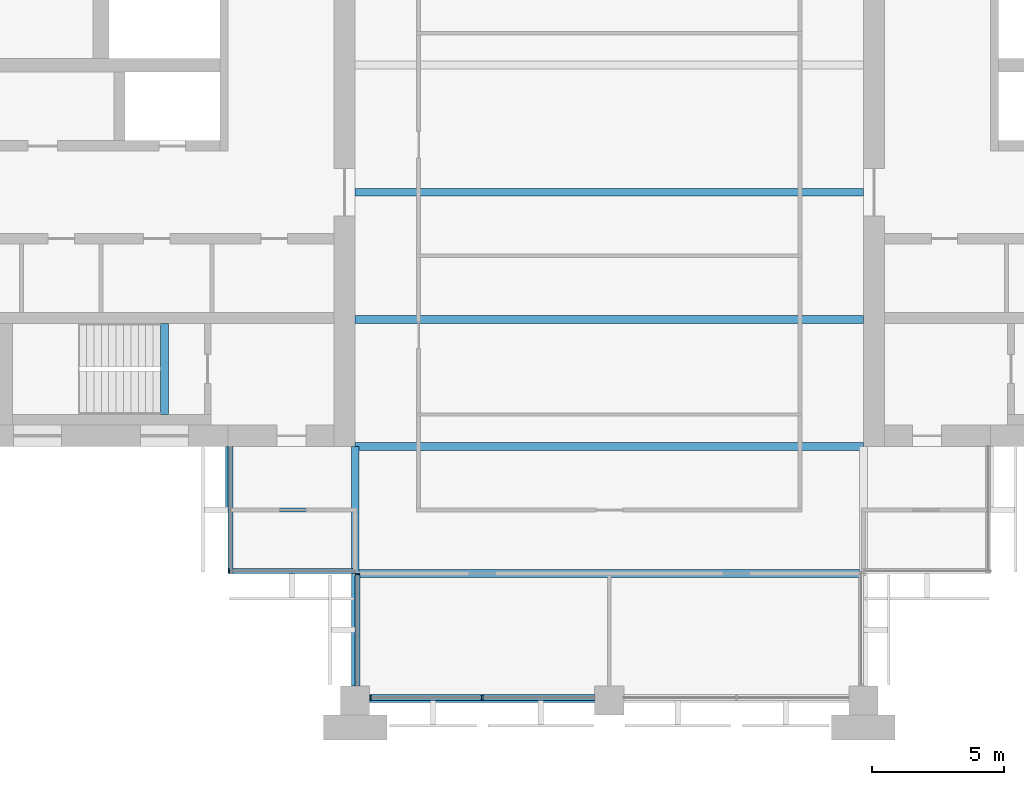
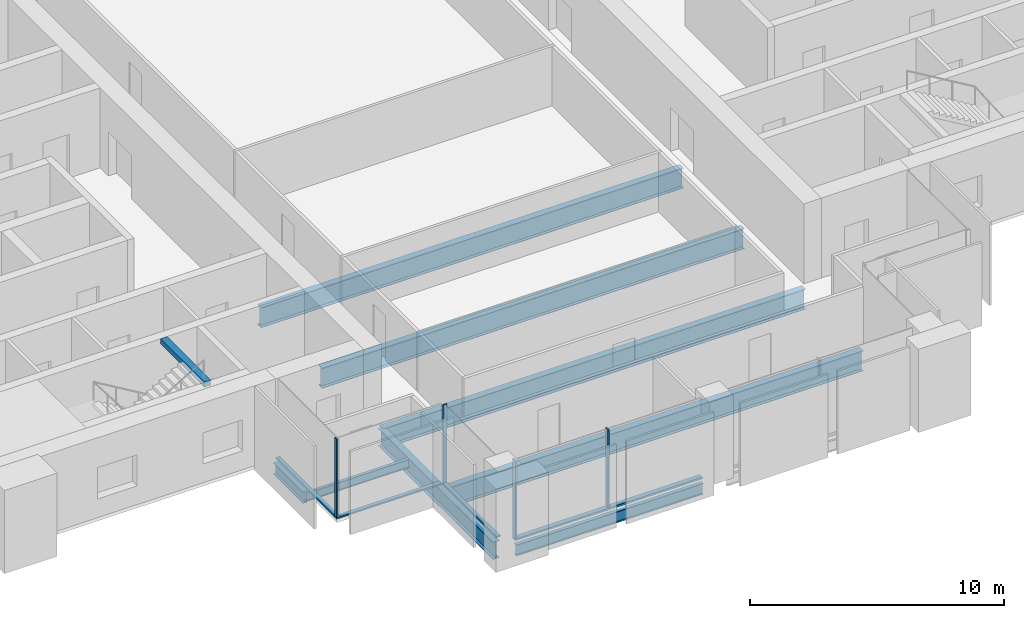
# One storey, part 2 of 13: 9 beams, 8 members, 4 elements without a shape of their own.
"""IFC4 building model written with IfcOpenShell, lengths in metres."""

import ifcopenshell
import ifcopenshell.guid

model = None  # the IFC model being written
_history = None  # IfcOwnerHistory: only IFC2X3 demands one
_inside = {}  # id of a spatial element -> (the spatial element, [elements in it])
_under = {}  # id of a project, library or spatial element -> (it, [spatial elements below it])
_declared = {}  # id of a project -> (the project, [libraries it declares])
_typed = {}  # id of a type object -> (the type object, [elements of that type])
_made_of = {}  # id of a material, layer set ... -> (it, [elements and type objects made of it])


def new_model(schema):
    """Start an empty IFC model of exactly this schema.

    Asked for "IFC4X3", IfcOpenShell would pick the latest addendum, in which some entities
    have other attributes; the version numbers below select the first issue.
    IFC2X3 requires an IfcOwnerHistory on every rooted entity: one is made here for all.
    """
    global model, _history
    if schema == "IFC4X3":
        model = ifcopenshell.file(schema_version=(4, 3, 0, 0))
    else:
        model = ifcopenshell.file(schema=schema)
    _inside.clear()
    _under.clear()
    _declared.clear()
    _typed.clear()
    _made_of.clear()
    _history = None
    if model.schema == "IFC2X3":
        org = make("IfcOrganization", Name="unknown")
        user = make(
            "IfcPersonAndOrganization",
            ThePerson=make("IfcPerson", FamilyName="unknown"),
            TheOrganization=org,
        )
        app = make(
            "IfcApplication",
            ApplicationDeveloper=org,
            Version="unknown",
            ApplicationFullName="unknown",
            ApplicationIdentifier="unknown",
        )
        _history = make(
            "IfcOwnerHistory",
            OwningUser=user,
            OwningApplication=app,
            ChangeAction="ADDED",
            CreationDate=0,
        )
    return model


def make(cls, **values):
    """One entity of the class cls with the attributes given. An attribute that is None is left unset."""
    return model.create_entity(
        cls, **{name: value for name, value in values.items() if value is not None}
    )


def rooted(cls, **values):
    """An entity with a GlobalId (a new one), such as an element, a storey or a relation."""
    return make(cls, GlobalId=ifcopenshell.guid.new(), OwnerHistory=_history, **values)


def si_unit(unit_type, name, prefix=None):
    """IfcSIUnit, for example si_unit("LENGTHUNIT", "METRE", prefix="MILLI")."""
    return make("IfcSIUnit", UnitType=unit_type, Prefix=prefix, Name=name)


def assignment(units):
    """IfcUnitAssignment: the units of a project."""
    return None if units is None else make("IfcUnitAssignment", Units=units)


def point(xyz):
    """IfcCartesianPoint."""
    return None if xyz is None else make("IfcCartesianPoint", Coordinates=xyz)


def direction(xyz):
    """IfcDirection."""
    return None if xyz is None else make("IfcDirection", DirectionRatios=xyz)


def frame(location, z_axis=None, x_axis=None):
    """IfcAxis2Placement3D, a coordinate frame: its origin and axes. An axis left out is left unset."""
    return make(
        "IfcAxis2Placement3D",
        Location=point(location),
        Axis=direction(z_axis),
        RefDirection=direction(x_axis),
    )


def frame_2d(location, x_axis=None):
    """IfcAxis2Placement2D, a coordinate frame in the plane: its origin and x axis."""
    return make(
        "IfcAxis2Placement2D", Location=point(location), RefDirection=direction(x_axis)
    )


def origin():
    """The frame at (0, 0, 0) with its axes left unset."""
    return frame((0.0, 0.0, 0.0))


def origin_2d():
    """The frame at (0, 0) in the plane with its x axis left unset."""
    return frame_2d((0.0, 0.0))


def place(relative_to, where):
    """IfcLocalPlacement: puts the frame where relative to a parent placement (None: the world)."""
    return make(
        "IfcLocalPlacement", PlacementRelTo=relative_to, RelativePlacement=where
    )


def context(
    kind, dimensions, precision=None, world=None, true_north=None, identifier=None
):
    """IfcGeometricRepresentationContext, for example the 3D "Model" context."""
    return make(
        "IfcGeometricRepresentationContext",
        ContextIdentifier=identifier,
        ContextType=kind,
        CoordinateSpaceDimension=dimensions,
        Precision=precision,
        WorldCoordinateSystem=world,
        TrueNorth=true_north,
    )


def subcontext(parent, identifier, kind, view, scale=None):
    """IfcGeometricRepresentationSubContext, for example "Body" below "Model"."""
    return make(
        "IfcGeometricRepresentationSubContext",
        ContextIdentifier=identifier,
        ContextType=kind,
        ParentContext=parent,
        TargetScale=scale,
        TargetView=view,
    )


def project(units=None, contexts=None):
    """IfcProject with its units and contexts."""
    return rooted(
        "IfcProject",
        Name="project",
        RepresentationContexts=contexts,
        UnitsInContext=assignment(units),
    )


def spatial(cls, under=None, at=None, **own):
    """A site, building, storey or space (cls), placed at a placement, below another one or the project."""
    s = rooted(cls, ObjectPlacement=at, **own)
    if under is not None:
        _under.setdefault(under.id(), (under, []))[1].append(s)
    return s


def profile(cls, at=None, kind="AREA", **sizes):
    """A parametric profile (cls). Its sizes go by their IFC names, for example OverallWidth=200.0."""
    return make(cls, ProfileType=kind, Position=at, **sizes)


def rectangle(**sizes):
    """IfcRectangleProfileDef."""
    return profile("IfcRectangleProfileDef", **sizes)


def i_section(**sizes):
    """IfcIShapeProfileDef."""
    return profile("IfcIShapeProfileDef", **sizes)


def extrude(swept, where, along, depth):
    """IfcExtrudedAreaSolid: the profile swept, set in the frame where, extruded along a direction by depth."""
    return make(
        "IfcExtrudedAreaSolid",
        SweptArea=swept,
        Position=where,
        ExtrudedDirection=direction(along),
        Depth=depth,
    )


def shape(context_of_items, identifier, shape_type, items):
    """IfcShapeRepresentation: the items that make up one representation, for example the "Body"."""
    return make(
        "IfcShapeRepresentation",
        ContextOfItems=context_of_items,
        RepresentationIdentifier=identifier,
        RepresentationType=shape_type,
        Items=items,
    )


def material(Name=None, Category=None):
    """IfcMaterial."""
    return make("IfcMaterial", Name=Name, Category=Category)


def material_profile(
    of_material, cross_section, Name=None, Category=None, Priority=None
):
    """IfcMaterialProfile: a cross section and its material."""
    return make(
        "IfcMaterialProfile",
        Name=Name,
        Material=of_material,
        Profile=cross_section,
        Priority=Priority,
        Category=Category,
    )


def profile_set(profiles, Name=None, composite=None):
    """IfcMaterialProfileSet."""
    return make(
        "IfcMaterialProfileSet",
        Name=Name,
        MaterialProfiles=profiles,
        CompositeProfile=composite,
    )


def made_of(thing, what):
    """Note that an element or type object is made of a material, layer set ...; save() writes the relation."""
    if what is not None:
        _made_of.setdefault(what.id(), (what, []))[1].append(thing)
    return thing


def type_object(cls, material=None, **own):
    """A type object (cls), such as IfcWallType, which elements share."""
    return made_of(rooted(cls, **own), material)


def element(
    cls,
    number,
    at=None,
    inside=None,
    cuts=None,
    type_object=None,
    material=None,
    context=None,
    identifier="Body",
    shape_type=None,
    held_by="IfcProductDefinitionShape",
    body=None,
    shapes=None,
    **own,
):
    """One element of the class cls, such as IfcWall. Its Tag is "e" and its number.

    at: its placement. inside: the storey or other place that contains it. cuts: it is an
    opening in that element (IfcRelVoidsElement). A single representation is given by context,
    identifier, shape_type and body (its items); several are given by shapes. held_by: the class
    of the entity that holds the representations. save() writes the other relations.
    """
    e = rooted(cls, Tag="e%d" % number, ObjectPlacement=at, **own)
    if body is not None:
        shapes = [shape(context, identifier, shape_type, body)]
    if shapes is not None:
        e.Representation = make(held_by, Representations=shapes)
    if inside is not None:
        _inside.setdefault(inside.id(), (inside, []))[1].append(e)
    if cuts is not None:
        rooted(
            "IfcRelVoidsElement", RelatingBuildingElement=cuts, RelatedOpeningElement=e
        )
    if type_object is not None:
        _typed.setdefault(type_object.id(), (type_object, []))[1].append(e)
    return made_of(e, material)


def aggregate(whole, parts):
    """IfcRelAggregates: a whole, such as a stair, and the parts it consists of."""
    return rooted("IfcRelAggregates", RelatingObject=whole, RelatedObjects=parts)


def save(model, path):
    """Write the relations noted so far, then the file.

    IfcRelAggregates (storeys below a building ...), IfcRelContainedInSpatialStructure (elements
    in a storey), IfcRelDefinesByType, IfcRelAssociatesMaterial and IfcRelDeclares: one each for
    every whole, place, type object, material and project.
    """
    for whole, parts in _under.values():
        aggregate(whole, parts)
    for where, things in _inside.values():
        rooted(
            "IfcRelContainedInSpatialStructure",
            RelatedElements=things,
            RelatingStructure=where,
        )
    for kind, things in _typed.values():
        rooted("IfcRelDefinesByType", RelatedObjects=things, RelatingType=kind)
    for what, things in _made_of.values():
        rooted("IfcRelAssociatesMaterial", RelatedObjects=things, RelatingMaterial=what)
    for by, libraries in _declared.values():
        rooted("IfcRelDeclares", RelatingContext=by, RelatedDefinitions=libraries)
    model.write(path)


model = new_model("IFC4")

# Units and contexts
model_context = context("Model", 3, precision=1e-05, world=origin(), true_north=direction((0.0, 1.0)))
body_context = subcontext(model_context, "Body", "Model", "MODEL_VIEW")
ifc_project = project(units=[si_unit("LENGTHUNIT", "METRE"), si_unit("AREAUNIT", "SQUARE_METRE"), si_unit("VOLUMEUNIT", "CUBIC_METRE"), si_unit("PLANEANGLEUNIT", "RADIAN"), si_unit("MASSUNIT", "GRAM", prefix="KILO")], contexts=[model_context])

# Site, building, storey
site_placement = place(None, origin())
site = spatial("IfcSite", under=ifc_project, at=site_placement, CompositionType="ELEMENT")
building_placement = place(site_placement, origin())
building = spatial("IfcBuilding", under=site, at=building_placement, Name="Baori Bourse Tower", CompositionType="ELEMENT")
storey_placement = place(building_placement, frame((0.0, 0.0, 253.199951171875)))
storey = spatial("IfcBuildingStorey", under=building, at=storey_placement, Name="L56", CompositionType="ELEMENT", Elevation=253.199951171875)

# Curtain wall, member
ifc_material_1 = material(Name="Pale anodised aluminium", Category="aluminium")
curtain_wall_type_1 = type_object("IfcCurtainWallType", Name="CW2 Curtain wall", PredefinedType="NOTDEFINED", material=ifc_material_1)
curtain_wall_1_placement = place(storey_placement, origin())
curtain_wall_1 = element("IfcCurtainWall", 1, at=curtain_wall_1_placement, inside=storey, type_object=curtain_wall_type_1, Name="Curtain wall CW2 L56 9", PredefinedType="NOTDEFINED")
ifc_material_2 = material(Name="Pale anodised aluminium", Category="aluminium")
ifc_material_profile_1 = material_profile(ifc_material_2, rectangle(XDim=0.179931640625, YDim=0.054931640625, at=origin_2d()), Name="Mullion 55x180")
ifc_profile_set_1 = profile_set([ifc_material_profile_1], Name="Pale anodised aluminium")
member_type_1 = type_object("IfcMemberType", Name="CW2 Curtain wall mullion", PredefinedType="MULLION", material=ifc_profile_set_1)
member_1_placement = place(storey_placement, frame((14.427490234375, 4.889892578125, 0.070068359375), z_axis=(0.0, 0.0, 1.0), x_axis=(0.0, 1.0, 0.0)))
member_1 = element("IfcMember", 2, at=member_1_placement, type_object=member_type_1, Name="Curtain wall CW2 mullion", PredefinedType="MULLION", context=body_context, shape_type="SweptSolid", body=[
    extrude(rectangle(XDim=0.179931640625, YDim=0.054931640625, at=origin_2d()), origin(), (0.0, 0.0, 1.0), 3.77001953125),
])

curtain_wall_2_placement = place(storey_placement, origin())
curtain_wall_2 = element("IfcCurtainWall", 3, at=curtain_wall_2_placement, inside=storey, type_object=curtain_wall_type_1, Name="Curtain wall CW2 L56 10", PredefinedType="NOTDEFINED")
member_2_placement = place(storey_placement, frame((19.2900390625, 4.7724609375, 0.070068359375), z_axis=(0.0, 0.0, 1.0), x_axis=(1.0, 0.0, 0.0)))
member_2 = element("IfcMember", 4, at=member_2_placement, type_object=member_type_1, Name="Curtain wall CW2 mullion", PredefinedType="MULLION", context=body_context, shape_type="SweptSolid", body=[
    extrude(rectangle(XDim=0.179931640625, YDim=0.054931640625, at=origin_2d()), origin(), (0.0, 0.0, 1.0), 3.77001953125),
])

curtain_wall_3_placement = place(storey_placement, origin())
curtain_wall_3 = element("IfcCurtainWall", 5, at=curtain_wall_3_placement, inside=storey, type_object=curtain_wall_type_1, Name="Curtain wall CW2 L56 8", PredefinedType="NOTDEFINED")
ifc_material_3 = material(Name="Pale anodised aluminium", Category="aluminium")
ifc_material_profile_2 = material_profile(ifc_material_3, rectangle(XDim=0.179931640625, YDim=0.070068359375, at=origin_2d()), Name="Transom 70x180")
ifc_profile_set_2 = profile_set([ifc_material_profile_2], Name="Pale anodised aluminium")
member_type_2 = type_object("IfcMemberType", Name="CW2 Curtain wall transom", PredefinedType="USERDEFINED", material=ifc_profile_set_2)
member_3_placement = place(storey_placement, frame((14.489990234375, 9.60009765625, 0.03515625), z_axis=(0.0, -1.0, 0.0), x_axis=(1.0, 0.0, 0.0)))
member_3 = element("IfcMember", 6, at=member_3_placement, type_object=member_type_2, Name="Curtain wall CW2 sill rail", ObjectType="TRANSOM", PredefinedType="USERDEFINED", context=body_context, shape_type="SweptSolid", body=[
    extrude(rectangle(XDim=0.179931640625, YDim=0.070068359375, at=origin_2d()), origin(), (0.0, 0.0, 1.0), 4.800048828125),
])
aggregate(curtain_wall_3, [member_3])

# Member
member_4_placement = place(storey_placement, frame((14.39990234375, 4.889892578125, 0.03515625), z_axis=(1.0, 0.0, 0.0), x_axis=(0.0, 1.0, 0.0)))
member_4 = element("IfcMember", 7, at=member_4_placement, type_object=member_type_2, Name="Curtain wall CW2 sill rail", ObjectType="TRANSOM", PredefinedType="USERDEFINED", context=body_context, shape_type="SweptSolid", body=[
    extrude(rectangle(XDim=0.179931640625, YDim=0.070068359375, at=origin_2d()), origin(), (0.0, 0.0, 1.0), 4.800048828125),
])

aggregate(curtain_wall_1, [member_4, member_1])

member_5_placement = place(storey_placement, frame((19.2900390625, 4.800048828125, 0.03515625), z_axis=(0.0, -1.0, 0.0), x_axis=(1.0, 0.0, 0.0)))
member_5 = element("IfcMember", 8, at=member_5_placement, type_object=member_type_2, Name="Curtain wall CW2 sill rail", ObjectType="TRANSOM", PredefinedType="USERDEFINED", context=body_context, shape_type="SweptSolid", body=[
    extrude(rectangle(XDim=0.179931640625, YDim=0.070068359375, at=origin_2d()), origin(), (0.0, 0.0, 1.0), 4.25),
])

aggregate(curtain_wall_2, [member_5, member_2])

# Curtain wall, members
ifc_material_4 = material(Name="Pale anodised aluminium", Category="aluminium")
curtain_wall_type_2 = type_object("IfcCurtainWallType", Name="CW5 Curtain wall", PredefinedType="NOTDEFINED", material=ifc_material_4)
curtain_wall_4_placement = place(storey_placement, origin())
curtain_wall_4 = element("IfcCurtainWall", 9, at=curtain_wall_4_placement, inside=storey, type_object=curtain_wall_type_2, Name="Curtain wall CW5 L56 11", PredefinedType="NOTDEFINED")
ifc_material_5 = material(Name="Pale anodised aluminium", Category="aluminium")
ifc_material_profile_3 = material_profile(ifc_material_5, rectangle(XDim=0.219970703125, YDim=0.06494140625, at=origin_2d()), Name="Mullion 65x220")
ifc_profile_set_3 = profile_set([ifc_material_profile_3], Name="Pale anodised aluminium")
member_type_3 = type_object("IfcMemberType", Name="CW5 Curtain wall mullion", PredefinedType="MULLION", material=ifc_profile_set_3)
member_6_placement = place(storey_placement, frame((19.782470703125, 0.110107421875, 0.0849609375), z_axis=(0.0, 0.0, 1.0), x_axis=(0.0, 1.0, 0.0)))
member_6 = element("IfcMember", 10, at=member_6_placement, type_object=member_type_3, Name="Curtain wall CW5 mullion", PredefinedType="MULLION", context=body_context, shape_type="SweptSolid", body=[
    extrude(rectangle(XDim=0.219970703125, YDim=0.06494140625, at=origin_2d()), origin(), (0.0, 0.0, 1.0), 3.755126953125),
])
member_7_placement = place(storey_placement, frame((24.0, 0.110107421875, 0.0849609375), z_axis=(0.0, 0.0, 1.0), x_axis=(0.0, 1.0, 0.0)))
member_7 = element("IfcMember", 11, at=member_7_placement, type_object=member_type_3, Name="Curtain wall CW5 mullion", PredefinedType="MULLION", context=body_context, shape_type="SweptSolid", body=[
    extrude(rectangle(XDim=0.219970703125, YDim=0.06494140625, at=origin_2d()), origin(), (0.0, 0.0, 1.0), 3.755126953125),
])
ifc_material_6 = material(Name="Pale anodised aluminium", Category="aluminium")
ifc_material_profile_4 = material_profile(ifc_material_6, rectangle(XDim=0.219970703125, YDim=0.0849609375, at=origin_2d()), Name="Transom 85x220")
ifc_profile_set_4 = profile_set([ifc_material_profile_4], Name="Pale anodised aluminium")
member_type_4 = type_object("IfcMemberType", Name="CW5 Curtain wall transom", PredefinedType="USERDEFINED", material=ifc_profile_set_4)
member_8_placement = place(storey_placement, frame((19.75, 0.110107421875, 0.04248046875), z_axis=(1.0, 0.0, 0.0), x_axis=(0.0, 1.0, 0.0)))
member_8 = element("IfcMember", 12, at=member_8_placement, type_object=member_type_4, Name="Curtain wall CW5 sill rail", ObjectType="TRANSOM", PredefinedType="USERDEFINED", context=body_context, shape_type="SweptSolid", body=[
    extrude(rectangle(XDim=0.219970703125, YDim=0.0849609375, at=origin_2d()), origin(), (0.0, 0.0, 1.0), 8.5),
])
aggregate(curtain_wall_4, [member_8, member_6, member_7])

# Beams
ifc_material_7 = material(Name="Steel A992 Gr 50", Category="steel")
ifc_material_profile_5 = material_profile(ifc_material_7, i_section(OverallWidth=0.21240234375, OverallDepth=0.54345703125, WebThickness=0.01318359375, FlangeThickness=0.021240234375, at=origin_2d()), Name="W21x83")
ifc_profile_set_5 = profile_set([ifc_material_profile_5], Name="Steel A992 Gr 50")
beam_type_1 = type_object("IfcBeamType", Name="Core bracket W21x83", PredefinedType="BEAM", material=ifc_profile_set_5)
beam_1_placement = place(storey_placement, frame((14.39990234375, 7.270263671875, -0.431640625), z_axis=(0.0, 1.0, 0.0), x_axis=(-1.0, 0.0, 0.0)))
element("IfcBeam", 13, at=beam_1_placement, inside=storey, type_object=beam_type_1, Name="Core bracket L56", PredefinedType="BEAM", context=body_context, shape_type="SweptSolid", body=[
    extrude(i_section(OverallWidth=0.21240234375, OverallDepth=0.54345703125, WebThickness=0.01318359375, FlangeThickness=0.021240234375, at=origin_2d()), origin(), (0.0, 0.0, 1.0), 2.329833984375),
])
ifc_material_8 = material(Name="Steel A992 Gr 50", Category="steel")
ifc_material_profile_6 = material_profile(ifc_material_8, i_section(OverallWidth=0.1650390625, OverallDepth=0.52587890625, WebThickness=0.0087890625, FlangeThickness=0.011474609375, at=origin_2d()), Name="W21x44")
ifc_profile_set_6 = profile_set([ifc_material_profile_6], Name="Steel A992 Gr 50")
beam_type_2 = type_object("IfcBeamType", Name="Edge beam W21x44", PredefinedType="BEAM", material=ifc_profile_set_6)
beam_2_placement = place(storey_placement, frame((19.75, 0.0, -0.4228515625), z_axis=(1.0, 0.0, 0.0), x_axis=(0.0, 1.0, 0.0)))
element("IfcBeam", 14, at=beam_2_placement, inside=storey, type_object=beam_type_2, Name="Edge beam L56", PredefinedType="BEAM", context=body_context, shape_type="SweptSolid", body=[
    extrude(i_section(OverallWidth=0.1650390625, OverallDepth=0.52587890625, WebThickness=0.0087890625, FlangeThickness=0.011474609375, at=origin_2d()), origin(), (0.0, 0.0, 1.0), 8.5),
])
ifc_material_9 = material(Name="Steel A992 Gr 50", Category="steel")
ifc_material_profile_7 = material_profile(ifc_material_9, i_section(OverallWidth=0.2998046875, OverallDepth=0.97021484375, WebThickness=0.01611328125, FlangeThickness=0.02099609375, at=origin_2d()), Name="W40x149")
ifc_profile_set_7 = profile_set([ifc_material_profile_7], Name="Steel A992 Gr 50")
beam_type_3 = type_object("IfcBeamType", Name="Floor beam W40x149", PredefinedType="BEAM", material=ifc_profile_set_7)
beam_3_placement = place(storey_placement, frame((19.345947265625, 4.800048828125, -0.64501953125), z_axis=(1.0, 0.0, 0.0), x_axis=(0.0, 1.0, 0.0)))
element("IfcBeam", 15, at=beam_3_placement, inside=storey, type_object=beam_type_3, Name="Floor beam L56", PredefinedType="BEAM", context=body_context, shape_type="SweptSolid", body=[
    extrude(i_section(OverallWidth=0.2998046875, OverallDepth=0.97021484375, WebThickness=0.01611328125, FlangeThickness=0.02099609375, at=origin_2d()), origin(), (0.0, 0.0, 1.0), 18.907958984375),
])
for number, where, z_axis, x_axis, name in (
    (16, (19.199951171875, 9.60009765625, -0.64501953125), (1.0, 0.0, 0.0), (0.0, 1.0, 0.0), "Floor beam L56"),
    (17, (19.199951171875, 14.39990234375, -0.64501953125), (1.0, 0.0, 0.0), (0.0, 1.0, 0.0), "Floor beam L56"),
    (18, (19.199951171875, 19.199951171875, -0.64501953125), (1.0, 0.0, 0.0), (0.0, 1.0, 0.0), "Floor beam L56"),
):
    element("IfcBeam", number, at=place(storey_placement, frame(where, z_axis=z_axis, x_axis=x_axis)), inside=storey, type_object=beam_type_3, Name=name, PredefinedType="BEAM", context=body_context, shape_type="SweptSolid", body=[
        extrude(i_section(OverallWidth=0.2998046875, OverallDepth=0.97021484375, WebThickness=0.01611328125, FlangeThickness=0.02099609375, at=origin_2d()), origin(), (0.0, 0.0, 1.0), 19.199951171875),
    ])
ifc_material_10 = material(Name="Steel A992 Gr 50", Category="steel")
ifc_material_profile_8 = material_profile(ifc_material_10, i_section(OverallWidth=0.2919921875, OverallDepth=0.835693359375, WebThickness=0.013916015625, FlangeThickness=0.018798828125, at=origin_2d()), Name="W33x118")
ifc_profile_set_8 = profile_set([ifc_material_profile_8], Name="Steel A992 Gr 50")
beam_type_4 = type_object("IfcBeamType", Name="Girder W33x118", PredefinedType="BEAM", material=ifc_profile_set_8)
beam_4_placement = place(storey_placement, frame((19.199951171875, 0.550048828125, -0.577880859375), z_axis=(0.0, 1.0, 0.0), x_axis=(-1.0, 0.0, 0.0)))
element("IfcBeam", 19, at=beam_4_placement, inside=storey, type_object=beam_type_4, Name="Girder L56", PredefinedType="BEAM", context=body_context, shape_type="SweptSolid", body=[
    extrude(i_section(OverallWidth=0.2919921875, OverallDepth=0.835693359375, WebThickness=0.013916015625, FlangeThickness=0.018798828125, at=origin_2d()), origin(), (0.0, 0.0, 1.0), 9.050048828125),
])
ifc_material_11 = material(Name="Concrete f'c 50 MPa", Category="concrete")
ifc_material_profile_9 = material_profile(ifc_material_11, rectangle(XDim=0.300048828125, YDim=0.25, at=origin_2d()), Name="RC 300x250")
ifc_profile_set_9 = profile_set([ifc_material_profile_9], Name="Concrete f'c 50 MPa")
beam_type_5 = type_object("IfcBeamType", Name="Stair nib beam RC 300x250", PredefinedType="BEAM", material=ifc_profile_set_9)
beam_5_placement = place(storey_placement, frame((12.0, 10.800048828125, 3.715087890625), z_axis=(0.0, 1.0, 0.0), x_axis=(-1.0, 0.0, 0.0)))
element("IfcBeam", 20, at=beam_5_placement, inside=storey, type_object=beam_type_5, Name="Stair WA nib beam L57", PredefinedType="BEAM", context=body_context, shape_type="SweptSolid", body=[
    extrude(rectangle(XDim=0.300048828125, YDim=0.25, at=origin_2d()), origin(), (0.0, 0.0, 1.0), 3.449951171875),
])
ifc_material_12 = material(Name="Steel A992 Gr 50", Category="steel")
ifc_material_profile_10 = material_profile(ifc_material_12, i_section(OverallWidth=0.140380859375, OverallDepth=0.40380859375, WebThickness=0.007080078125, FlangeThickness=0.01123046875, at=origin_2d()), Name="W16x31")
ifc_profile_set_10 = profile_set([ifc_material_profile_10], Name="Steel A992 Gr 50")
beam_type_6 = type_object("IfcBeamType", Name="Trimmer beam W16x31", PredefinedType="BEAM", material=ifc_profile_set_10)
beam_6_placement = place(storey_placement, frame((14.39990234375, 7.199951171875, -0.36181640625), z_axis=(1.0, 0.0, 0.0), x_axis=(0.0, 1.0, 0.0)))
element("IfcBeam", 21, at=beam_6_placement, inside=storey, type_object=beam_type_6, Name="Trimmer beam L56", PredefinedType="BEAM", context=body_context, shape_type="SweptSolid", body=[
    extrude(i_section(OverallWidth=0.140380859375, OverallDepth=0.40380859375, WebThickness=0.007080078125, FlangeThickness=0.01123046875, at=origin_2d()), origin(), (0.0, 0.0, 1.0), 4.654052734375),
])

save(model, "model.ifc")
